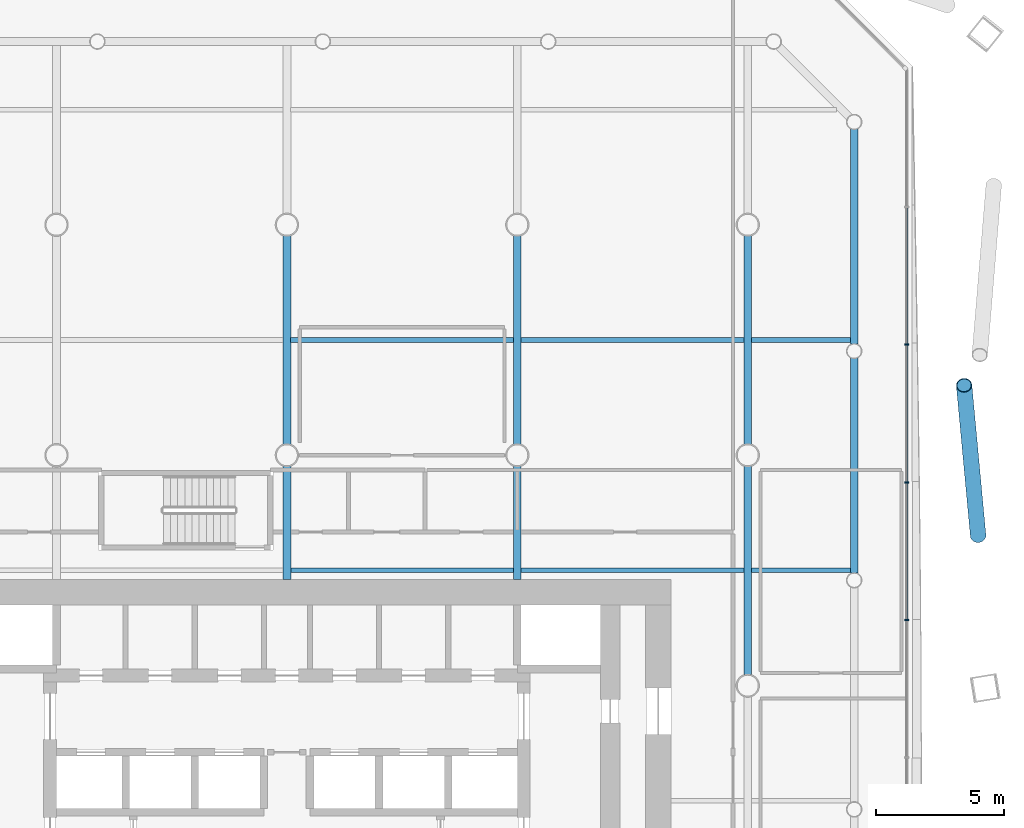
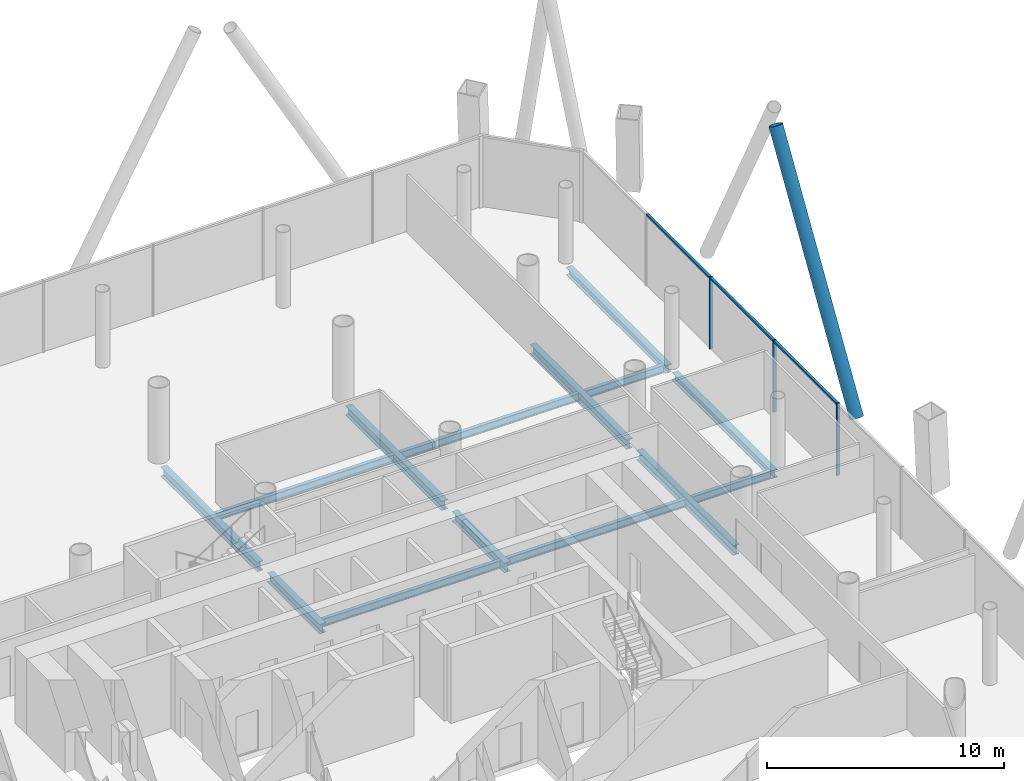
# One storey, part 14 of 25: 14 beams, 7 members, 1 element without a shape of its own.
"""IFC4 building model written with IfcOpenShell, lengths in metres."""

from ifc_helpers import new_model, si_unit, direction, frame, origin, origin_2d, place, context, subcontext, project, spatial, rectangle, hollow_circle, i_section, extrude, material, material_profile, profile_set, type_object, element, aggregate, save


model = new_model("IFC4")

# Units and contexts
model_context = context("Model", 3, precision=1e-05, world=origin(), true_north=direction((0.0, 1.0)))
body_context = subcontext(model_context, "Body", "Model", "MODEL_VIEW")
ifc_project = project(units=[si_unit("LENGTHUNIT", "METRE"), si_unit("AREAUNIT", "SQUARE_METRE"), si_unit("VOLUMEUNIT", "CUBIC_METRE"), si_unit("PLANEANGLEUNIT", "RADIAN"), si_unit("MASSUNIT", "GRAM", prefix="KILO")], contexts=[model_context])

# Site, building, storey
site_placement = place(None, origin())
site = spatial("IfcSite", under=ifc_project, at=site_placement, CompositionType="ELEMENT")
building_placement = place(site_placement, origin())
building = spatial("IfcBuilding", under=site, at=building_placement, Name="Tskaro Facet Tower", CompositionType="ELEMENT")
storey_placement = place(building_placement, frame((0.0, 0.0, 22.5)))
storey = spatial("IfcBuildingStorey", under=building, at=storey_placement, Name="L04", CompositionType="ELEMENT", Elevation=22.5)

# Member
ifc_material_1 = material(Name="Steel S355J2H", Category="steel")
ifc_material_profile_1 = material_profile(ifc_material_1, hollow_circle(Radius=0.304931640625, WallThickness=0.030029296875, at=origin_2d()), Name="CHS 610x30")
ifc_profile_set_1 = profile_set([ifc_material_profile_1], Name="Steel S355J2H")
member_type_1 = type_object("IfcMemberType", Name="CHS 610x30 brace", PredefinedType="BRACE", material=ifc_profile_set_1)
member_1_placement = place(storey_placement, frame((26.997314453125, 5.86572265625, 0.0), z_axis=(-0.041822472373, 0.447783743865, 0.893163254693), x_axis=(-0.995666660774, -0.092994089186, 0.0)))
element("IfcMember", 1, at=member_1_placement, inside=storey, type_object=member_type_1, Name="CHS 610x30 XB05A/1", PredefinedType="BRACE", context=body_context, shape_type="SweptSolid", body=[
    extrude(hollow_circle(Radius=0.304931640625, WallThickness=0.030029296875, at=origin_2d()), origin(), (0.0, 0.0, 1.0), 13.099365234375),
])

# Curtain wall, members
ifc_material_2 = material(Name="Bronze anodised aluminium 6063-T6", Category="aluminium")
curtain_wall_type = type_object("IfcCurtainWallType", Name="Bronze office curtain wall (FW1)", PredefinedType="NOTDEFINED", material=ifc_material_2)
curtain_wall_placement = place(storey_placement, origin())
curtain_wall = element("IfcCurtainWall", 2, at=curtain_wall_placement, inside=storey, type_object=curtain_wall_type, Name="FW1 east facet L04", PredefinedType="NOTDEFINED")
ifc_material_profile_2 = material_profile(ifc_material_2, rectangle(XDim=0.06005859375, YDim=0.159912109375, at=origin_2d()), Name="Mullion 60x160")
ifc_profile_set_2 = profile_set([ifc_material_profile_2], Name="Bronze anodised aluminium 6063-T6")
member_type_2 = type_object("IfcMemberType", Name="FW1 bronze mullion 60x160", PredefinedType="MULLION", material=ifc_profile_set_2)
member_2_placement = place(storey_placement, frame((24.201904296875, 2.56787109375, 0.0), z_axis=(0.0, 0.0, 1.0), x_axis=(0.0, 1.0, 0.0)))
member_2 = element("IfcMember", 3, at=member_2_placement, type_object=member_type_2, Name="FW1 east mullion 5", PredefinedType="MULLION", context=body_context, shape_type="SweptSolid", body=[
    extrude(rectangle(XDim=0.06005859375, YDim=0.159912109375, at=origin_2d()), origin(), (0.0, 0.0, 1.0), 3.699951171875),
])
member_3_placement = place(storey_placement, frame((24.201904296875, 7.9423828125, 0.0), z_axis=(0.0, 0.0, 1.0), x_axis=(0.0, 1.0, 0.0)))
member_3 = element("IfcMember", 4, at=member_3_placement, type_object=member_type_2, Name="FW1 east mullion 6", PredefinedType="MULLION", context=body_context, shape_type="SweptSolid", body=[
    extrude(rectangle(XDim=0.06005859375, YDim=0.159912109375, at=origin_2d()), origin(), (0.0, 0.0, 1.0), 3.699951171875),
])
member_4_placement = place(storey_placement, frame((24.201904296875, 13.31689453125, 0.0), z_axis=(0.0, 0.0, 1.0), x_axis=(0.0, 1.0, 0.0)))
member_4 = element("IfcMember", 5, at=member_4_placement, type_object=member_type_2, Name="FW1 east mullion 7", PredefinedType="MULLION", context=body_context, shape_type="SweptSolid", body=[
    extrude(rectangle(XDim=0.06005859375, YDim=0.159912109375, at=origin_2d()), origin(), (0.0, 0.0, 1.0), 3.699951171875),
])
ifc_material_profile_3 = material_profile(ifc_material_2, rectangle(XDim=0.1201171875, YDim=0.10009765625, at=origin_2d()), Name="Transom 120x100")
ifc_profile_set_3 = profile_set([ifc_material_profile_3], Name="Bronze anodised aluminium 6063-T6")
member_type_3 = type_object("IfcMemberType", Name="FW1 bronze transom 120x100", PredefinedType="USERDEFINED", material=ifc_profile_set_3)
member_5_placement = place(storey_placement, frame((24.201904296875, 2.59765625, 3.64990234375), z_axis=(0.0, 1.0, 0.0), x_axis=(-1.0, 0.0, 0.0)))
member_5 = element("IfcMember", 6, at=member_5_placement, type_object=member_type_3, Name="FW1 east transom 6.1", ObjectType="TRANSOM", PredefinedType="USERDEFINED", context=body_context, shape_type="SweptSolid", body=[
    extrude(rectangle(XDim=0.1201171875, YDim=0.10009765625, at=origin_2d()), origin(), (0.0, 0.0, 1.0), 5.314697265625),
])
member_6_placement = place(storey_placement, frame((24.201904296875, 7.972412109375, 3.64990234375), z_axis=(0.0, 1.0, 0.0), x_axis=(-1.0, 0.0, 0.0)))
member_6 = element("IfcMember", 7, at=member_6_placement, type_object=member_type_3, Name="FW1 east transom 7.1", ObjectType="TRANSOM", PredefinedType="USERDEFINED", context=body_context, shape_type="SweptSolid", body=[
    extrude(rectangle(XDim=0.1201171875, YDim=0.10009765625, at=origin_2d()), origin(), (0.0, 0.0, 1.0), 5.314453125),
])
member_7_placement = place(storey_placement, frame((24.201904296875, 13.346923828125, 3.64990234375), z_axis=(0.0, 1.0, 0.0), x_axis=(-1.0, 0.0, 0.0)))
member_7 = element("IfcMember", 8, at=member_7_placement, type_object=member_type_3, Name="FW1 east transom 8.1", ObjectType="TRANSOM", PredefinedType="USERDEFINED", context=body_context, shape_type="SweptSolid", body=[
    extrude(rectangle(XDim=0.1201171875, YDim=0.10009765625, at=origin_2d()), origin(), (0.0, 0.0, 1.0), 5.314453125),
])
aggregate(curtain_wall, [member_2, member_3, member_4, member_5, member_6, member_7])

# Beams
ifc_material_3 = material(Name="Steel S355J2", Category="steel")
ifc_material_profile_4 = material_profile(ifc_material_3, i_section(OverallWidth=0.300048828125, OverallDepth=0.39990234375, WebThickness=0.013427734375, FlangeThickness=0.02392578125, FilletRadius=0.027099609375, at=origin_2d()), Name="HE 400 B")
ifc_profile_set_4 = profile_set([ifc_material_profile_4], Name="Steel S355J2")
beam_type_1 = type_object("IfcBeamType", Name="HE 400 B ring beam", PredefinedType="BEAM", material=ifc_profile_set_4)
for number, where, z_axis, x_axis, name in (
    (9, (22.156982421875, 4.39111328125, -0.340087890625), (0.0, 1.0, 0.0), (-1.0, 0.0, 0.0), "HE 400 B EB11-1"),
    (10, (22.156982421875, 13.339111328125, -0.340087890625), (0.0, 1.0, 0.0), (-1.0, 0.0, 0.0), "HE 400 B EB12-1"),
):
    element("IfcBeam", number, at=place(storey_placement, frame(where, z_axis=z_axis, x_axis=x_axis)), inside=storey, type_object=beam_type_1, Name=name, PredefinedType="BEAM", context=body_context, shape_type="SweptSolid", body=[
        extrude(i_section(OverallWidth=0.300048828125, OverallDepth=0.39990234375, WebThickness=0.013427734375, FlangeThickness=0.02392578125, FilletRadius=0.027099609375, at=origin_2d()), origin(), (0.0, 0.0, 1.0), 8.39794921875),
    ])
ifc_material_profile_5 = material_profile(ifc_material_3, i_section(OverallWidth=0.300048828125, OverallDepth=0.489990234375, WebThickness=0.011962890625, FlangeThickness=0.02294921875, FilletRadius=0.027099609375, at=origin_2d()), Name="HE 500 A")
ifc_profile_set_5 = profile_set([ifc_material_profile_5], Name="Steel S355J2")
beam_type_2 = type_object("IfcBeamType", Name="HE 500 A girder", PredefinedType="BEAM", material=ifc_profile_set_5)
beam_1_placement = place(storey_placement, frame((0.0, 4.14990234375, -0.385009765625), z_axis=(0.0, 1.0, 0.0), x_axis=(-1.0, 0.0, 0.0)))
element("IfcBeam", 11, at=beam_1_placement, inside=storey, type_object=beam_type_2, Name="HE 500 A GB4-3-1", PredefinedType="BEAM", context=body_context, shape_type="SweptSolid", body=[
    extrude(i_section(OverallWidth=0.300048828125, OverallDepth=0.489990234375, WebThickness=0.011962890625, FlangeThickness=0.02294921875, FilletRadius=0.027099609375, at=origin_2d()), origin(), (0.0, 0.0, 1.0), 4.4228515625),
])
beam_2_placement = place(storey_placement, frame((0.0, 9.42724609375, -0.385009765625), z_axis=(0.0, 1.0, 0.0), x_axis=(-1.0, 0.0, 0.0)))
element("IfcBeam", 12, at=beam_2_placement, inside=storey, type_object=beam_type_2, Name="HE 500 A GB4-4-1", PredefinedType="BEAM", context=body_context, shape_type="SweptSolid", body=[
    extrude(i_section(OverallWidth=0.300048828125, OverallDepth=0.489990234375, WebThickness=0.011962890625, FlangeThickness=0.02294921875, FilletRadius=0.027099609375, at=origin_2d()), origin(), (0.0, 0.0, 1.0), 8.1455078125),
])
beam_3_placement = place(storey_placement, frame((9.0, 4.14990234375, -0.385009765625), z_axis=(0.0, 1.0, 0.0), x_axis=(-1.0, 0.0, 0.0)))
element("IfcBeam", 13, at=beam_3_placement, inside=storey, type_object=beam_type_2, Name="HE 500 A GB5-3-1", PredefinedType="BEAM", context=body_context, shape_type="SweptSolid", body=[
    extrude(i_section(OverallWidth=0.300048828125, OverallDepth=0.489990234375, WebThickness=0.011962890625, FlangeThickness=0.02294921875, FilletRadius=0.027099609375, at=origin_2d()), origin(), (0.0, 0.0, 1.0), 4.4228515625),
])
for number, where, z_axis, x_axis, name in (
    (14, (9.0, 9.42724609375, -0.385009765625), (0.0, 1.0, 0.0), (-1.0, 0.0, 0.0), "HE 500 A GB5-4-1"),
    (15, (18.0, 0.42724609375, -0.385009765625), (0.0, 1.0, 0.0), (-1.0, 0.0, 0.0), "HE 500 A GB6-4-1"),
    (16, (18.0, 9.42724609375, -0.385009765625), (0.0, 1.0, 0.0), (-1.0, 0.0, 0.0), "HE 500 A GB6-5-1"),
):
    element("IfcBeam", number, at=place(storey_placement, frame(where, z_axis=z_axis, x_axis=x_axis)), inside=storey, type_object=beam_type_2, Name=name, PredefinedType="BEAM", context=body_context, shape_type="SweptSolid", body=[
        extrude(i_section(OverallWidth=0.300048828125, OverallDepth=0.489990234375, WebThickness=0.011962890625, FlangeThickness=0.02294921875, FilletRadius=0.027099609375, at=origin_2d()), origin(), (0.0, 0.0, 1.0), 8.1455078125),
    ])
ifc_material_profile_6 = material_profile(ifc_material_3, i_section(OverallWidth=0.179931640625, OverallDepth=0.39990234375, WebThickness=0.008544921875, FlangeThickness=0.013427734375, FilletRadius=0.02099609375, at=origin_2d()), Name="IPE 400")
ifc_profile_set_6 = profile_set([ifc_material_profile_6], Name="Steel S355J2")
beam_type_3 = type_object("IfcBeamType", Name="IPE 400 secondary beam", PredefinedType="BEAM", material=ifc_profile_set_6)
for number, where, z_axis, x_axis, name in (
    (17, (0.14990234375, 4.5, -0.340087890625), (1.0, 0.0, 0.0), (0.0, 1.0, 0.0), "IPE 400 SB4a-4-1"),
    (18, (9.14990234375, 4.5, -0.340087890625), (1.0, 0.0, 0.0), (0.0, 1.0, 0.0), "IPE 400 SB4a-5-1"),
):
    element("IfcBeam", number, at=place(storey_placement, frame(where, z_axis=z_axis, x_axis=x_axis)), inside=storey, type_object=beam_type_3, Name=name, PredefinedType="BEAM", context=body_context, shape_type="SweptSolid", body=[
        extrude(i_section(OverallWidth=0.179931640625, OverallDepth=0.39990234375, WebThickness=0.008544921875, FlangeThickness=0.013427734375, FilletRadius=0.02099609375, at=origin_2d()), origin(), (0.0, 0.0, 1.0), 8.7001953125),
    ])
beam_4_placement = place(storey_placement, frame((18.14990234375, 4.5, -0.340087890625), z_axis=(1.0, 0.0, 0.0), x_axis=(0.0, 1.0, 0.0)))
element("IfcBeam", 19, at=beam_4_placement, inside=storey, type_object=beam_type_3, Name="IPE 400 SB4a-6-1", PredefinedType="BEAM", context=body_context, shape_type="SweptSolid", body=[
    extrude(i_section(OverallWidth=0.179931640625, OverallDepth=0.39990234375, WebThickness=0.008544921875, FlangeThickness=0.013427734375, FilletRadius=0.02099609375, at=origin_2d()), origin(), (0.0, 0.0, 1.0), 3.857177734375),
])
for number, where, z_axis, x_axis, name in (
    (20, (0.14990234375, 13.5, -0.340087890625), (1.0, 0.0, 0.0), (0.0, 1.0, 0.0), "IPE 400 SB5a-4-1"),
    (21, (9.14990234375, 13.5, -0.340087890625), (1.0, 0.0, 0.0), (0.0, 1.0, 0.0), "IPE 400 SB5a-5-1"),
):
    element("IfcBeam", number, at=place(storey_placement, frame(where, z_axis=z_axis, x_axis=x_axis)), inside=storey, type_object=beam_type_3, Name=name, PredefinedType="BEAM", context=body_context, shape_type="SweptSolid", body=[
        extrude(i_section(OverallWidth=0.179931640625, OverallDepth=0.39990234375, WebThickness=0.008544921875, FlangeThickness=0.013427734375, FilletRadius=0.02099609375, at=origin_2d()), origin(), (0.0, 0.0, 1.0), 8.7001953125),
    ])
beam_5_placement = place(storey_placement, frame((18.14990234375, 13.5, -0.340087890625), z_axis=(1.0, 0.0, 0.0), x_axis=(0.0, 1.0, 0.0)))
element("IfcBeam", 22, at=beam_5_placement, inside=storey, type_object=beam_type_3, Name="IPE 400 SB5a-6-1", PredefinedType="BEAM", context=body_context, shape_type="SweptSolid", body=[
    extrude(i_section(OverallWidth=0.179931640625, OverallDepth=0.39990234375, WebThickness=0.008544921875, FlangeThickness=0.013427734375, FilletRadius=0.02099609375, at=origin_2d()), origin(), (0.0, 0.0, 1.0), 3.857177734375),
])

save(model, "model.ifc")
